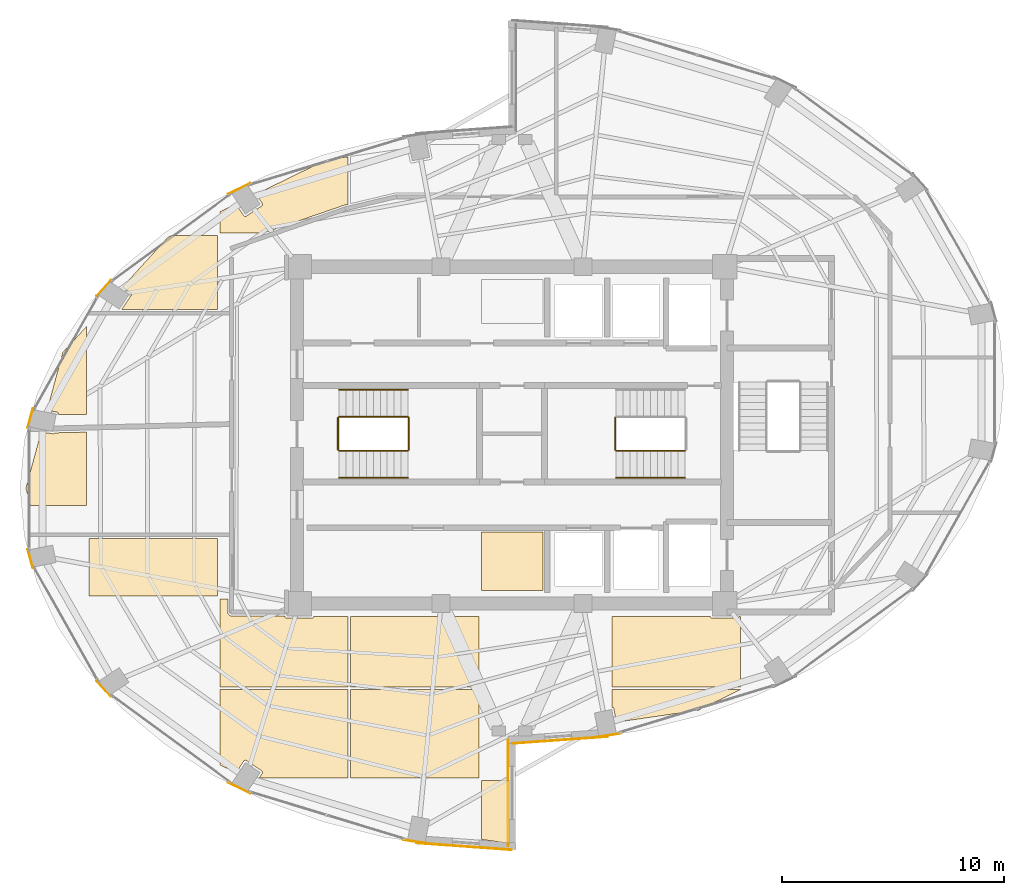
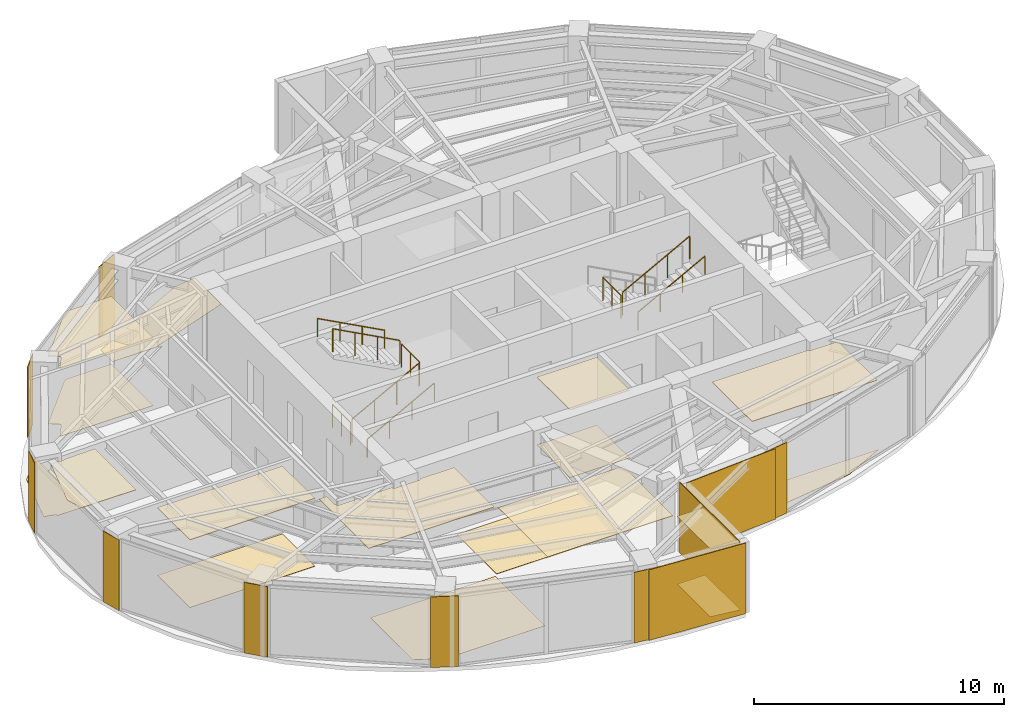
# One storey, part 21 of 22: 28 coverings, 9 railings.
"""IFC4 building model written with IfcOpenShell, lengths in metres."""

from ifc_helpers import new_model, si_unit, direction, frame, origin, origin_2d, place, context, subcontext, project, spatial, polyline, rectangle, circle, outline, extrude, material, layer, layer_set, type_object, element, save


model = new_model("IFC4")

# Units and contexts
model_context = context("Model", 3, precision=1e-05, world=origin(), true_north=direction((0.0, 1.0)))
body_context = subcontext(model_context, "Body", "Model", "MODEL_VIEW")
ifc_project = project(units=[si_unit("LENGTHUNIT", "METRE"), si_unit("AREAUNIT", "SQUARE_METRE"), si_unit("VOLUMEUNIT", "CUBIC_METRE"), si_unit("PLANEANGLEUNIT", "RADIAN"), si_unit("MASSUNIT", "GRAM", prefix="KILO")], contexts=[model_context])

# Site, building, storey
site_placement = place(None, origin())
site = spatial("IfcSite", under=ifc_project, at=site_placement, CompositionType="ELEMENT")
building_placement = place(site_placement, origin())
building = spatial("IfcBuilding", under=site, at=building_placement, Name="Lazwardi Medical Tower", CompositionType="ELEMENT")
storey_placement = place(building_placement, frame((0.0, 0.0, 227.6640625)))
storey = spatial("IfcBuildingStorey", under=building, at=storey_placement, Name="L59", CompositionType="ELEMENT", Elevation=227.6640625)

# Coverings
ifc_material_1 = material(Name="Anodised bronze aluminium cassette cladding", Category="aluminium")
ifc_layer_1 = layer(ifc_material_1, 0.030029296875)
ifc_layer_set_1 = layer_set([ifc_layer_1], Name="Anodised bronze aluminium cassette cladding")
covering_type_1 = type_object("IfcCoveringType", Name="COV-CLD-BRZ", PredefinedType="CLADDING", material=ifc_layer_set_1)
covering_1_placement = place(storey_placement, frame((40.3232421875, 14.450439453125, 0.0), z_axis=(0.0, 0.0, 1.0), x_axis=(0.989512431533, 0.144447733943, 0.0)))
element("IfcCovering", 1, at=covering_1_placement, inside=storey, type_object=covering_type_1, Name="L59 Mega-column bronze cassette cover M01", PredefinedType="CLADDING", context=body_context, shape_type="SweptSolid", body=[
    extrude(rectangle(XDim=1.188720703125, YDim=0.030029296875, at=origin_2d()), origin(), (0.0, 0.0, 1.0), 3.447998046875),
])
covering_2_placement = place(storey_placement, frame((23.688720703125, 39.121337890625, 0.0), z_axis=(0.0, 0.0, 1.0), x_axis=(-0.897840141691, -0.440321564278, 0.0)))
element("IfcCovering", 2, at=covering_2_placement, inside=storey, type_object=covering_type_1, Name="L59 Mega-column bronze cassette cover M10", PredefinedType="CLADDING", context=body_context, shape_type="SweptSolid", body=[
    extrude(rectangle(XDim=1.110595703125, YDim=0.030029296875, at=origin_2d()), origin(), (0.0, 0.0, 1.0), 3.447998046875),
])
covering_3_placement = place(storey_placement, frame((17.57470703125, 34.634765625, 0.0), z_axis=(0.0, 0.0, 1.0), x_axis=(-0.673240970654, -0.739423150458, 0.0)))
element("IfcCovering", 3, at=covering_3_placement, inside=storey, type_object=covering_type_1, Name="L59 Mega-column bronze cassette cover M11", PredefinedType="CLADDING", context=body_context, shape_type="SweptSolid", body=[
    extrude(rectangle(XDim=0.98974609375, YDim=0.030029296875, at=origin_2d()), origin(), (0.0, 0.0, 1.0), 3.447998046875),
])
for number, where, z_axis, x_axis, name in (
    (4, (14.265869140625, 28.772705078125, 0.0), (0.0, 0.0, 1.0), (-0.261641748247, -0.96516506131, 0.0), "L59 Mega-column bronze cassette cover M12"),
    (5, (14.265869140625, 22.427490234375, 0.0), (0.0, 0.0, 1.0), (0.261641748247, -0.96516506131, 0.0), "L59 Mega-column bronze cassette cover M13"),
):
    element("IfcCovering", number, at=place(storey_placement, frame(where, z_axis=z_axis, x_axis=x_axis)), inside=storey, type_object=covering_type_1, Name=name, PredefinedType="CLADDING", context=body_context, shape_type="SweptSolid", body=[
        extrude(rectangle(XDim=0.894287109375, YDim=0.030029296875, at=origin_2d()), origin(), (0.0, 0.0, 1.0), 3.447998046875),
    ])
covering_4_placement = place(storey_placement, frame((17.57470703125, 16.565185546875, 0.0), z_axis=(0.0, 0.0, 1.0), x_axis=(0.673240970654, -0.739423150458, 0.0)))
element("IfcCovering", 6, at=covering_4_placement, inside=storey, type_object=covering_type_1, Name="L59 Mega-column bronze cassette cover M14", PredefinedType="CLADDING", context=body_context, shape_type="SweptSolid", body=[
    extrude(rectangle(XDim=0.98974609375, YDim=0.030029296875, at=origin_2d()), origin(), (0.0, 0.0, 1.0), 3.447998046875),
])
covering_5_placement = place(storey_placement, frame((23.688720703125, 12.07861328125, 0.0), z_axis=(0.0, 0.0, 1.0), x_axis=(0.897840141691, -0.440321564278, 0.0)))
element("IfcCovering", 7, at=covering_5_placement, inside=storey, type_object=covering_type_1, Name="L59 Mega-column bronze cassette cover M15", PredefinedType="CLADDING", context=body_context, shape_type="SweptSolid", body=[
    extrude(rectangle(XDim=1.110595703125, YDim=0.030029296875, at=origin_2d()), origin(), (0.0, 0.0, 1.0), 3.447998046875),
])
covering_6_placement = place(storey_placement, frame((31.6767578125, 9.650390625, 0.0), z_axis=(0.0, 0.0, 1.0), x_axis=(0.989512431533, -0.144447733943, 0.0)))
element("IfcCovering", 8, at=covering_6_placement, inside=storey, type_object=covering_type_1, Name="L59 Mega-column bronze cassette cover M16", PredefinedType="CLADDING", context=body_context, shape_type="SweptSolid", body=[
    extrude(rectangle(XDim=1.188720703125, YDim=0.030029296875, at=origin_2d()), origin(), (0.0, 0.0, 1.0), 3.447998046875),
])
ifc_material_2 = material(Name="Turquoise glazed ceramic tilework cladding", Category="masonry")
ifc_layer_2 = layer(ifc_material_2, 0.034912109375)
ifc_layer_set_2 = layer_set([ifc_layer_2], Name="Turquoise glazed ceramic tilework cladding")
covering_type_2 = type_object("IfcCoveringType", Name="COV-CLD-TRQ", PredefinedType="CLADDING", material=ifc_layer_set_2)
covering_7_placement = place(storey_placement, frame((38.16259765625, 14.239990234375, 0.0), z_axis=(0.0, 0.0, 1.0), x_axis=(0.997409491337, 0.071932653157, 0.0)))
element("IfcCovering", 9, at=covering_7_placement, inside=storey, type_object=covering_type_2, Name="L59 Turquoise glazed ceramic tilework cladding", PredefinedType="CLADDING", context=body_context, shape_type="SweptSolid", body=[
    extrude(rectangle(XDim=4.31103515625, YDim=0.034912109375, at=origin_2d()), origin(), (0.0, 0.0, 1.0), 3.447998046875),
])
covering_8_placement = place(storey_placement, frame((33.83740234375, 9.43994140625, 0.0), z_axis=(0.0, 0.0, 1.0), x_axis=(0.997408989128, -0.071939616387, 0.0)))
element("IfcCovering", 10, at=covering_8_placement, inside=storey, type_object=covering_type_2, Name="L59 Turquoise glazed ceramic tilework cladding", PredefinedType="CLADDING", context=body_context, shape_type="SweptSolid", body=[
    extrude(rectangle(XDim=4.310546875, YDim=0.034912109375, at=origin_2d()), origin(), (0.0, 0.0, 1.0), 3.447998046875),
])
covering_9_placement = place(storey_placement, frame((35.824462890625, 11.860107421875, 0.0), z_axis=(0.0, 0.0, 1.0), x_axis=(0.0, 1.0, 0.0)))
element("IfcCovering", 11, at=covering_9_placement, inside=storey, type_object=covering_type_2, Name="L59 Turquoise glazed ceramic tilework iwan panel", PredefinedType="CLADDING", context=body_context, shape_type="SweptSolid", body=[
    extrude(rectangle(XDim=4.800048828125, YDim=0.034912109375, at=origin_2d()), origin(), (0.0, 0.0, 1.0), 3.447998046875),
])
ifc_material_3 = material(Name="Acoustic mineral fibre tile")
ifc_layer_3 = layer(ifc_material_3, 0.02490234375)
ifc_layer_set_3 = layer_set([ifc_layer_3], Name="Acoustic mineral fibre tile")
covering_type_3 = type_object("IfcCoveringType", Name="COV-CLG-01", PredefinedType="CEILING", material=ifc_layer_set_3)
covering_10_placement = place(storey_placement, frame((0.0, 0.0, 3.302978515625)))
element("IfcCovering", 12, at=covering_10_placement, inside=storey, type_object=covering_type_3, Name="L59 Clinical Acoustic Ceiling 1", PredefinedType="CEILING", context=body_context, shape_type="SweptSolid", body=[
    extrude(outline(polyline([(16.802978515625, 28.13916015625), (15.36328125, 28.103515625), (15.36279296875, 28.10205078125), (15.358642578125, 28.095458984375), (15.35400390625, 28.089111328125), (15.3486328125, 28.083251953125), (15.343017578125, 28.077880859375), (15.336669921875, 28.0732421875), (15.329833984375, 28.0693359375), (15.32275390625, 28.06591796875), (15.315185546875, 28.063232421875), (15.3076171875, 28.061279296875), (15.300048828125, 28.060302734375), (15.2919921875, 28.059814453125), (15.2841796875, 28.060302734375), (15.276611328125, 28.061279296875), (15.0966796875, 28.09716796875), (14.739013671875, 28.08837890625), (14.06298828125, 25.60009765625), (14.271484375, 24.83251953125), (16.802978515625, 24.83251953125), (16.802978515625, 28.13916015625)])), origin(), (0.0, 0.0, 1.0), 0.02490234375),
])
covering_11_placement = place(storey_placement, frame((0.0, 0.0, 3.302978515625)))
element("IfcCovering", 13, at=covering_11_placement, inside=storey, type_object=covering_type_3, Name="L59 Clinical Acoustic Ceiling 2", PredefinedType="CEILING", context=body_context, shape_type="SweptSolid", body=[
    extrude(outline(polyline([(22.702880859375, 23.3349609375), (16.9228515625, 23.3349609375), (16.9228515625, 20.732421875), (22.702880859375, 20.732421875), (22.702880859375, 23.3349609375)])), origin(), (0.0, 0.0, 1.0), 0.02490234375),
])
covering_12_placement = place(storey_placement, frame((0.0, 0.0, 3.302978515625)))
element("IfcCovering", 14, at=covering_12_placement, inside=storey, type_object=covering_type_3, Name="L59 Clinical Acoustic Ceiling 3", PredefinedType="CEILING", context=body_context, shape_type="SweptSolid", body=[
    extrude(outline(polyline([(20.639892578125, 37.012451171875), (20.478271484375, 36.933349609375), (18.415283203125, 34.673095703125), (18.7919921875, 34.42138671875), (18.79833984375, 34.416748046875), (18.80419921875, 34.41162109375), (18.809326171875, 34.40576171875), (18.814208984375, 34.3994140625), (18.818115234375, 34.392578125), (18.821533203125, 34.385498046875), (18.82421875, 34.378173828125), (18.826171875, 34.37060546875), (18.8271484375, 34.36279296875), (18.82763671875, 34.35498046875), (18.8271484375, 34.34716796875), (18.826171875, 34.33935546875), (18.82421875, 34.331787109375), (18.821533203125, 34.324462890625), (18.818115234375, 34.3173828125), (18.814208984375, 34.310546875), (18.3828125, 33.6650390625), (22.702880859375, 33.6650390625), (22.702880859375, 37.012451171875), (20.639892578125, 37.012451171875)])), origin(), (0.0, 0.0, 1.0), 0.02490234375),
])
covering_13_placement = place(storey_placement, frame((0.0, 0.0, 3.302978515625)))
element("IfcCovering", 15, at=covering_13_placement, inside=storey, type_object=covering_type_3, Name="L59 Clinical Acoustic Ceiling 4", PredefinedType="CEILING", context=body_context, shape_type="SweptSolid", body=[
    extrude(outline(polyline([(28.602783203125, 19.820068359375), (27.04931640625, 19.820068359375), (27.048583984375, 19.814453125), (27.046630859375, 19.806884765625), (27.0439453125, 19.79931640625), (27.04052734375, 19.792236328125), (27.03662109375, 19.78564453125), (27.03173828125, 19.779296875), (27.026611328125, 19.7734375), (27.020751953125, 19.768310546875), (27.014404296875, 19.763427734375), (27.0078125, 19.759521484375), (27.00048828125, 19.756103515625), (26.9931640625, 19.75341796875), (26.985595703125, 19.75146484375), (26.977783203125, 19.75048828125), (26.969970703125, 19.75), (25.830078125, 19.75), (25.822265625, 19.75048828125), (25.814453125, 19.75146484375), (25.806884765625, 19.75341796875), (25.79931640625, 19.756103515625), (25.792236328125, 19.759521484375), (25.78564453125, 19.763427734375), (25.779296875, 19.768310546875), (25.7734375, 19.7734375), (25.768310546875, 19.779296875), (25.763427734375, 19.78564453125), (25.759521484375, 19.792236328125), (25.756103515625, 19.79931640625), (25.75341796875, 19.806884765625), (25.75146484375, 19.814453125), (25.75048828125, 19.822265625), (25.75, 19.830078125), (25.75, 19.844970703125), (23.35009765625, 19.844970703125), (23.345703125, 19.84521484375), (23.33642578125, 19.845703125), (23.32958984375, 19.84619140625), (23.3203125, 19.84765625), (23.31201171875, 19.84912109375), (23.302734375, 19.8515625), (23.2958984375, 19.853515625), (23.287109375, 19.856689453125), (23.279296875, 19.860107421875), (23.270751953125, 19.864013671875), (23.263916015625, 19.86767578125), (23.256103515625, 19.872314453125), (23.249267578125, 19.876953125), (23.24169921875, 19.882568359375), (23.236083984375, 19.88720703125), (23.229248046875, 19.893310546875), (23.223388671875, 19.8994140625), (23.217041015625, 19.90625), (23.21240234375, 19.911865234375), (23.206787109375, 19.919189453125), (23.202392578125, 19.926025390625), (23.197509765625, 19.93408203125), (23.194091796875, 19.94091796875), (23.18994140625, 19.94921875), (23.186767578125, 19.95703125), (23.18359375, 19.9658203125), (23.181396484375, 19.972900390625), (23.17919921875, 19.98193359375), (23.177490234375, 19.990234375), (23.17626953125, 19.99951171875), (23.175537109375, 20.00634765625), (23.175048828125, 20.015625), (23.175048828125, 20.02001953125), (23.175048828125, 20.612548828125), (22.822998046875, 20.612548828125), (22.822998046875, 16.632568359375), (28.602783203125, 16.632568359375), (28.602783203125, 19.820068359375)])), origin(), (0.0, 0.0, 1.0), 0.02490234375),
])
covering_14_placement = place(storey_placement, frame((0.0, 0.0, 3.302978515625)))
element("IfcCovering", 16, at=covering_14_placement, inside=storey, type_object=covering_type_3, Name="L59 Clinical Acoustic Ceiling 5", PredefinedType="CEILING", context=body_context, shape_type="SweptSolid", body=[
    extrude(outline(polyline([(34.5029296875, 12.532470703125), (34.5029296875, 16.512451171875), (28.722900390625, 16.512451171875), (28.722900390625, 12.532470703125), (34.5029296875, 12.532470703125)])), origin(), (0.0, 0.0, 1.0), 0.02490234375),
])
covering_15_placement = place(storey_placement, frame((0.0, 0.0, 3.302978515625)))
element("IfcCovering", 17, at=covering_15_placement, inside=storey, type_object=covering_type_3, Name="L59 Clinical Acoustic Ceiling 7", PredefinedType="CEILING", context=body_context, shape_type="SweptSolid", body=[
    extrude(outline(polyline([(34.622802734375, 9.761474609375), (35.919921875, 9.572509765625), (35.919921875, 12.41259765625), (34.622802734375, 12.41259765625), (34.622802734375, 9.761474609375)])), origin(), (0.0, 0.0, 1.0), 0.02490234375),
])
covering_16_placement = place(storey_placement, frame((0.0, 0.0, 3.302978515625)))
element("IfcCovering", 18, at=covering_16_placement, inside=storey, type_object=covering_type_3, Name="L59 Clinical Acoustic Ceiling 8", PredefinedType="CEILING", context=body_context, shape_type="SweptSolid", body=[
    extrude(outline(polyline([(34.622802734375, 20.97998046875), (37.389892578125, 20.97998046875), (37.389892578125, 23.6201171875), (34.622802734375, 23.6201171875), (34.622802734375, 20.97998046875)])), origin(), (0.0, 0.0, 1.0), 0.02490234375),
])
covering_17_placement = place(storey_placement, frame((0.0, 0.0, 3.302978515625)))
element("IfcCovering", 19, at=covering_17_placement, inside=storey, type_object=covering_type_3, Name="L59 Clinical Acoustic Ceiling 10", PredefinedType="CEILING", context=body_context, shape_type="SweptSolid", body=[
    extrude(outline(polyline([(46.302978515625, 19.820068359375), (46.249267578125, 19.820068359375), (46.24853515625, 19.814453125), (46.24658203125, 19.806884765625), (46.243896484375, 19.79931640625), (46.240478515625, 19.792236328125), (46.236572265625, 19.78564453125), (46.231689453125, 19.779296875), (46.2265625, 19.7734375), (46.220703125, 19.768310546875), (46.21435546875, 19.763427734375), (46.207763671875, 19.759521484375), (46.20068359375, 19.756103515625), (46.193115234375, 19.75341796875), (46.185546875, 19.75146484375), (46.177734375, 19.75048828125), (46.169921875, 19.75), (45.030029296875, 19.75), (45.022216796875, 19.75048828125), (45.014404296875, 19.75146484375), (45.0068359375, 19.75341796875), (44.99951171875, 19.756103515625), (44.9921875, 19.759521484375), (44.985595703125, 19.763427734375), (44.979248046875, 19.768310546875), (44.973388671875, 19.7734375), (44.96826171875, 19.779296875), (44.96337890625, 19.78564453125), (44.95947265625, 19.792236328125), (44.9560546875, 19.79931640625), (44.953369140625, 19.806884765625), (44.951416015625, 19.814453125), (44.95068359375, 19.820068359375), (40.52294921875, 19.820068359375), (40.52294921875, 16.632568359375), (46.302978515625, 16.632568359375), (46.302978515625, 19.820068359375)])), origin(), (0.0, 0.0, 1.0), 0.02490234375),
])
ifc_material_4 = material(Name="Anti-static hospital vinyl sheet flooring")
ifc_layer_4 = layer(ifc_material_4, 0.014892578125)
ifc_layer_set_4 = layer_set([ifc_layer_4], Name="Anti-static hospital vinyl sheet flooring")
covering_type_4 = type_object("IfcCoveringType", Name="COV-FLR-01", PredefinedType="FLOORING", material=ifc_layer_set_4)
covering_18_placement = place(storey_placement, origin())
element("IfcCovering", 20, at=covering_18_placement, inside=storey, type_object=covering_type_4, Name="L59 Clinical Vinyl Flooring 1", PredefinedType="FLOORING", context=body_context, shape_type="SweptSolid", body=[
    extrude(outline(polyline([(16.802978515625, 32.906494140625), (15.728271484375, 31.729248046875), (15.0224609375, 29.13134765625), (15.4716796875, 29.0419921875), (15.479248046875, 29.040283203125), (15.486572265625, 29.03759765625), (15.49365234375, 29.0341796875), (15.50048828125, 29.030029296875), (15.5068359375, 29.025390625), (15.5126953125, 29.020263671875), (15.517822265625, 29.014404296875), (15.5224609375, 29.008056640625), (15.526611328125, 29.001220703125), (15.52978515625, 28.994140625), (15.53271484375, 28.98681640625), (15.534423828125, 28.979248046875), (15.53564453125, 28.971435546875), (15.535888671875, 28.963623046875), (15.53564453125, 28.955810546875), (15.534423828125, 28.947998046875), (15.531494140625, 28.9326171875), (16.802978515625, 28.9326171875), (16.802978515625, 32.906494140625)])), origin(), (0.0, 0.0, 1.0), 0.014892578125),
])
covering_19_placement = place(storey_placement, origin())
element("IfcCovering", 21, at=covering_19_placement, inside=storey, type_object=covering_type_4, Name="L59 Clinical Vinyl Flooring 2", PredefinedType="FLOORING", context=body_context, shape_type="SweptSolid", body=[
    extrude(outline(polyline([(22.702880859375, 23.3349609375), (16.9228515625, 23.3349609375), (16.9228515625, 20.732421875), (22.702880859375, 20.732421875), (22.702880859375, 23.3349609375)])), origin(), (0.0, 0.0, 1.0), 0.014892578125),
])
covering_20_placement = place(storey_placement, origin())
element("IfcCovering", 22, at=covering_20_placement, inside=storey, type_object=covering_type_4, Name="L59 Clinical Vinyl Flooring 3", PredefinedType="FLOORING", context=body_context, shape_type="SweptSolid", body=[
    extrude(outline(polyline([(20.639892578125, 37.012451171875), (20.478271484375, 36.933349609375), (18.415283203125, 34.673095703125), (18.7919921875, 34.42138671875), (18.79833984375, 34.416748046875), (18.80419921875, 34.41162109375), (18.809326171875, 34.40576171875), (18.814208984375, 34.3994140625), (18.818115234375, 34.392578125), (18.821533203125, 34.385498046875), (18.82421875, 34.378173828125), (18.826171875, 34.37060546875), (18.8271484375, 34.36279296875), (18.82763671875, 34.35498046875), (18.8271484375, 34.34716796875), (18.826171875, 34.33935546875), (18.82421875, 34.331787109375), (18.821533203125, 34.324462890625), (18.818115234375, 34.3173828125), (18.814208984375, 34.310546875), (18.3828125, 33.6650390625), (22.702880859375, 33.6650390625), (22.702880859375, 37.012451171875), (20.639892578125, 37.012451171875)])), origin(), (0.0, 0.0, 1.0), 0.014892578125),
])
covering_21_placement = place(storey_placement, origin())
element("IfcCovering", 23, at=covering_21_placement, inside=storey, type_object=covering_type_4, Name="L59 Clinical Vinyl Flooring 4", PredefinedType="FLOORING", context=body_context, shape_type="SweptSolid", body=[
    extrude(outline(polyline([(22.822998046875, 13.119873046875), (23.545654296875, 12.766357421875), (23.900634765625, 13.297607421875), (23.905517578125, 13.303955078125), (23.91064453125, 13.309814453125), (23.91650390625, 13.31494140625), (23.9228515625, 13.319580078125), (23.929443359375, 13.32373046875), (23.9365234375, 13.3271484375), (23.944091796875, 13.329833984375), (23.95166015625, 13.331787109375), (23.95947265625, 13.332763671875), (23.96728515625, 13.333251953125), (23.97509765625, 13.332763671875), (23.98291015625, 13.331787109375), (23.990478515625, 13.329833984375), (23.997802734375, 13.3271484375), (24.0048828125, 13.32373046875), (24.01171875, 13.319580078125), (24.7099609375, 12.85302734375), (24.71630859375, 12.848388671875), (24.72216796875, 12.843017578125), (24.727294921875, 12.83740234375), (24.732177734375, 12.830810546875), (24.736083984375, 12.82421875), (24.739501953125, 12.817138671875), (24.7421875, 12.809814453125), (24.744140625, 12.802001953125), (24.7451171875, 12.794189453125), (24.74560546875, 12.78662109375), (24.7451171875, 12.77880859375), (24.744140625, 12.77099609375), (24.7421875, 12.76318359375), (24.739501953125, 12.755859375), (24.736083984375, 12.748779296875), (24.732177734375, 12.7421875), (24.592041015625, 12.532470703125), (28.602783203125, 12.532470703125), (28.602783203125, 16.512451171875), (22.822998046875, 16.512451171875), (22.822998046875, 13.119873046875)])), origin(), (0.0, 0.0, 1.0), 0.014892578125),
])
covering_22_placement = place(storey_placement, origin())
element("IfcCovering", 24, at=covering_22_placement, inside=storey, type_object=covering_type_4, Name="L59 Clinical Vinyl Flooring 5", PredefinedType="FLOORING", context=body_context, shape_type="SweptSolid", body=[
    extrude(outline(polyline([(28.602783203125, 40.56201171875), (27.59716796875, 40.41552734375), (24.4521484375, 38.877197265625), (24.732177734375, 38.4580078125), (24.736083984375, 38.451171875), (24.739501953125, 38.444091796875), (24.7421875, 38.436767578125), (24.744140625, 38.42919921875), (24.7451171875, 38.42138671875), (24.74560546875, 38.41357421875), (24.7451171875, 38.40576171875), (24.744140625, 38.39794921875), (24.7421875, 38.390380859375), (24.739501953125, 38.3828125), (24.736083984375, 38.375732421875), (24.732177734375, 38.369140625), (24.727294921875, 38.36279296875), (24.72216796875, 38.35693359375), (24.71630859375, 38.351806640625), (24.7099609375, 38.346923828125), (24.01171875, 37.88037109375), (24.0048828125, 37.876220703125), (23.997802734375, 37.872802734375), (23.990478515625, 37.8701171875), (23.98291015625, 37.868408203125), (23.97509765625, 37.8671875), (23.96728515625, 37.86669921875), (23.95947265625, 37.8671875), (23.95166015625, 37.868408203125), (23.944091796875, 37.8701171875), (23.9365234375, 37.872802734375), (23.929443359375, 37.876220703125), (23.9228515625, 37.88037109375), (23.91650390625, 37.885009765625), (23.91064453125, 37.89013671875), (23.905517578125, 37.89599609375), (23.900634765625, 37.90234375), (23.545654296875, 38.43359375), (22.822998046875, 38.080078125), (22.822998046875, 37.132568359375), (24.819091796875, 37.132568359375), (28.457763671875, 38.385498046875), (28.461669921875, 38.386962890625), (28.470703125, 38.389404296875), (28.474365234375, 38.390380859375), (28.602783203125, 38.4208984375), (28.602783203125, 40.56201171875)])), origin(), (0.0, 0.0, 1.0), 0.014892578125),
])
covering_23_placement = place(storey_placement, origin())
element("IfcCovering", 25, at=covering_23_placement, inside=storey, type_object=covering_type_4, Name="L59 Clinical Vinyl Flooring 6", PredefinedType="FLOORING", context=body_context, shape_type="SweptSolid", body=[
    extrude(outline(polyline([(34.5029296875, 19.820068359375), (28.722900390625, 19.820068359375), (28.722900390625, 16.632568359375), (34.5029296875, 16.632568359375), (34.5029296875, 19.820068359375)])), origin(), (0.0, 0.0, 1.0), 0.014892578125),
])
covering_24_placement = place(storey_placement, origin())
element("IfcCovering", 26, at=covering_24_placement, inside=storey, type_object=covering_type_4, Name="L59 Clinical Vinyl Flooring 7", PredefinedType="FLOORING", context=body_context, shape_type="SweptSolid", body=[
    extrude(outline(polyline([(34.622802734375, 9.761474609375), (35.919921875, 9.572509765625), (35.919921875, 12.41259765625), (34.622802734375, 12.41259765625), (34.622802734375, 9.761474609375)])), origin(), (0.0, 0.0, 1.0), 0.014892578125),
])
covering_25_placement = place(storey_placement, origin())
element("IfcCovering", 27, at=covering_25_placement, inside=storey, type_object=covering_type_4, Name="L59 Clinical Vinyl Flooring 8", PredefinedType="FLOORING", context=body_context, shape_type="SweptSolid", body=[
    extrude(outline(polyline([(34.622802734375, 20.97998046875), (37.389892578125, 20.97998046875), (37.389892578125, 23.6201171875), (34.622802734375, 23.6201171875), (34.622802734375, 20.97998046875)])), origin(), (0.0, 0.0, 1.0), 0.014892578125),
])
covering_26_placement = place(storey_placement, origin())
element("IfcCovering", 28, at=covering_26_placement, inside=storey, type_object=covering_type_4, Name="L59 Clinical Vinyl Flooring 10", PredefinedType="FLOORING", context=body_context, shape_type="SweptSolid", body=[
    extrude(outline(polyline([(40.52294921875, 15.722412109375), (40.5302734375, 15.72119140625), (40.537841796875, 15.71923828125), (40.54541015625, 15.716552734375), (40.552490234375, 15.71337890625), (40.55908203125, 15.709228515625), (40.5654296875, 15.70458984375), (40.5712890625, 15.69921875), (40.576416015625, 15.693603515625), (40.581298828125, 15.687255859375), (40.585205078125, 15.680419921875), (40.588623046875, 15.67333984375), (40.59130859375, 15.666015625), (40.59326171875, 15.658203125), (40.714599609375, 15.04736328125), (44.40283203125, 15.58447265625), (46.300048828125, 16.512451171875), (40.52294921875, 16.512451171875), (40.52294921875, 15.722412109375)])), origin(), (0.0, 0.0, 1.0), 0.014892578125),
])

# Railings
ifc_material_5 = material(Name="Stainless steel Grade 316", Category="steel")
railing_type_1 = type_object("IfcRailingType", Name="RLG-GRD-1150", PredefinedType="GUARDRAIL", material=ifc_material_5)
railing_1_placement = place(storey_placement, frame((28.199951171875, 27.2900390625, 0.165771484375)))
element("IfcRailing", 29, at=railing_1_placement, inside=storey, type_object=railing_type_1, Name="L59 ST1 stair guard 1", PredefinedType="GUARDRAIL", context=body_context, shape_type="SweptSolid", body=[
    extrude(circle(Radius=0.02392578125, at=origin_2d()), frame((0.0, 0.0, 1.1259765625), z_axis=(0.881783298633, 0.0, 0.471654761719), x_axis=(0.0, 1.0, 0.0)), (0.0, 0.0, 1.0), 3.515625),
    extrude(circle(Radius=0.02099609375, at=origin_2d()), origin(), (0.0, 0.0, 1.0), 1.099853515625),
    extrude(circle(Radius=0.02099609375, at=origin_2d()), frame((1.033447265625, 0.0, 0.552734375)), (0.0, 0.0, 1.0), 1.099853515625),
    extrude(circle(Radius=0.02099609375, at=origin_2d()), frame((2.066650390625, 0.0, 1.10546875)), (0.0, 0.0, 1.0), 1.099853515625),
    extrude(circle(Radius=0.02099609375, at=origin_2d()), frame((3.10009765625, 0.0, 1.658203125)), (0.0, 0.0, 1.0), 1.099853515625),
])
railing_2_placement = place(storey_placement, frame((31.35009765625, 27.340087890625, 1.823974609375)))
element("IfcRailing", 30, at=railing_2_placement, inside=storey, type_object=railing_type_1, Name="L59 ST1 stair guard 2", PredefinedType="GUARDRAIL", context=body_context, shape_type="SweptSolid", body=[
    extrude(circle(Radius=0.02392578125, at=origin_2d()), frame((0.0, 0.0, 1.1259765625), z_axis=(0.0, 1.0, 0.0), x_axis=(-1.0, 0.0, 0.0)), (0.0, 0.0, 1.0), 1.43994140625),
    extrude(circle(Radius=0.02099609375, at=origin_2d()), origin(), (0.0, 0.0, 1.0), 1.099853515625),
    extrude(circle(Radius=0.02099609375, at=origin_2d()), frame((0.0, 0.719970703125, 0.0)), (0.0, 0.0, 1.0), 1.099853515625),
    extrude(circle(Radius=0.02099609375, at=origin_2d()), frame((0.0, 1.43994140625, 0.0)), (0.0, 0.0, 1.0), 1.099853515625),
])
railing_3_placement = place(storey_placement, frame((31.300048828125, 28.830078125, 1.98974609375)))
element("IfcRailing", 31, at=railing_3_placement, inside=storey, type_object=railing_type_1, Name="L59 ST1 stair guard 3", PredefinedType="GUARDRAIL", context=body_context, shape_type="SweptSolid", body=[
    extrude(circle(Radius=0.02392578125, at=origin_2d()), frame((0.0, 0.0, 1.1259765625), z_axis=(-0.881783298633, 0.0, 0.471654761719), x_axis=(0.0, -1.0, 0.0)), (0.0, 0.0, 1.0), 3.515625),
    extrude(circle(Radius=0.02099609375, at=origin_2d()), origin(), (0.0, 0.0, 1.0), 1.099853515625),
    extrude(circle(Radius=0.02099609375, at=origin_2d()), frame((-1.033447265625, 0.0, 0.552734375)), (0.0, 0.0, 1.0), 1.099853515625),
    extrude(circle(Radius=0.02099609375, at=origin_2d()), frame((-2.066650390625, 0.0, 1.10546875)), (0.0, 0.0, 1.0), 1.099853515625),
    extrude(circle(Radius=0.02099609375, at=origin_2d()), frame((-3.10009765625, 0.0, 1.658203125)), (0.0, 0.0, 1.0), 1.099853515625),
])
railing_4_placement = place(storey_placement, frame((28.14990234375, 27.340087890625, 0.0)))
element("IfcRailing", 32, at=railing_4_placement, inside=storey, type_object=railing_type_1, Name="L59 ST1 stair guard 4", PredefinedType="GUARDRAIL", context=body_context, shape_type="SweptSolid", body=[
    extrude(circle(Radius=0.02392578125, at=origin_2d()), frame((0.0, 0.0, 1.1259765625), z_axis=(0.0, 1.0, 0.0), x_axis=(-1.0, 0.0, 0.0)), (0.0, 0.0, 1.0), 1.43994140625),
    extrude(circle(Radius=0.02099609375, at=origin_2d()), origin(), (0.0, 0.0, 1.0), 1.099853515625),
    extrude(circle(Radius=0.02099609375, at=origin_2d()), frame((0.0, 0.719970703125, 0.0)), (0.0, 0.0, 1.0), 1.099853515625),
    extrude(circle(Radius=0.02099609375, at=origin_2d()), frame((0.0, 1.43994140625, 0.0)), (0.0, 0.0, 1.0), 1.099853515625),
])
railing_5_placement = place(storey_placement, frame((40.64990234375, 28.780029296875, 1.823974609375)))
element("IfcRailing", 33, at=railing_5_placement, inside=storey, type_object=railing_type_1, Name="L59 ST2 stair guard 2", PredefinedType="GUARDRAIL", context=body_context, shape_type="SweptSolid", body=[
    extrude(circle(Radius=0.02392578125, at=origin_2d()), frame((0.0, 0.0, 1.1259765625), z_axis=(0.0, -1.0, 0.0), x_axis=(1.0, 0.0, 0.0)), (0.0, 0.0, 1.0), 1.43994140625),
    extrude(circle(Radius=0.02099609375, at=origin_2d()), origin(), (0.0, 0.0, 1.0), 1.099853515625),
    extrude(circle(Radius=0.02099609375, at=origin_2d()), frame((0.0, -0.719970703125, 0.0)), (0.0, 0.0, 1.0), 1.099853515625),
    extrude(circle(Radius=0.02099609375, at=origin_2d()), frame((0.0, -1.43994140625, 0.0)), (0.0, 0.0, 1.0), 1.099853515625),
])
railing_6_placement = place(storey_placement, frame((40.699951171875, 27.2900390625, 1.98974609375)))
element("IfcRailing", 34, at=railing_6_placement, inside=storey, type_object=railing_type_1, Name="L59 ST2 stair guard 3", PredefinedType="GUARDRAIL", context=body_context, shape_type="SweptSolid", body=[
    extrude(circle(Radius=0.02392578125, at=origin_2d()), frame((0.0, 0.0, 1.1259765625), z_axis=(0.881783298633, 0.0, 0.471654761719), x_axis=(0.0, 1.0, 0.0)), (0.0, 0.0, 1.0), 3.515625),
    extrude(circle(Radius=0.02099609375, at=origin_2d()), origin(), (0.0, 0.0, 1.0), 1.099853515625),
    extrude(circle(Radius=0.02099609375, at=origin_2d()), frame((1.033447265625, 0.0, 0.552734375)), (0.0, 0.0, 1.0), 1.099853515625),
    extrude(circle(Radius=0.02099609375, at=origin_2d()), frame((2.066650390625, 0.0, 1.10546875)), (0.0, 0.0, 1.0), 1.099853515625),
    extrude(circle(Radius=0.02099609375, at=origin_2d()), frame((3.10009765625, 0.0, 1.658203125)), (0.0, 0.0, 1.0), 1.099853515625),
])
railing_type_2 = type_object("IfcRailingType", Name="RLG-HND-920", PredefinedType="HANDRAIL", material=ifc_material_5)
railing_7_placement = place(storey_placement, frame((28.199951171875, 26.070068359375, 0.165771484375)))
element("IfcRailing", 35, at=railing_7_placement, inside=storey, type_object=railing_type_2, Name="L59 ST1 stair handrail 1", PredefinedType="HANDRAIL", context=body_context, shape_type="SweptSolid", body=[
    extrude(circle(Radius=0.02392578125, at=origin_2d()), frame((0.0, 0.0, 0.8857421875), z_axis=(0.881783298633, 0.0, 0.471654761719), x_axis=(0.0, 1.0, 0.0)), (0.0, 0.0, 1.0), 3.515625),
    extrude(circle(Radius=0.02099609375, at=origin_2d()), origin(), (0.0, 0.0, 1.0), 0.85986328125),
    extrude(circle(Radius=0.02099609375, at=origin_2d()), frame((1.033447265625, 0.0, 0.552734375)), (0.0, 0.0, 1.0), 0.85986328125),
    extrude(circle(Radius=0.02099609375, at=origin_2d()), frame((2.066650390625, 0.0, 1.10546875)), (0.0, 0.0, 1.0), 0.85986328125),
    extrude(circle(Radius=0.02099609375, at=origin_2d()), frame((3.10009765625, 0.0, 1.658203125)), (0.0, 0.0, 1.0), 0.85986328125),
])
railing_8_placement = place(storey_placement, frame((31.300048828125, 30.050048828125, 1.98974609375)))
element("IfcRailing", 36, at=railing_8_placement, inside=storey, type_object=railing_type_2, Name="L59 ST1 stair handrail 2", PredefinedType="HANDRAIL", context=body_context, shape_type="SweptSolid", body=[
    extrude(circle(Radius=0.02392578125, at=origin_2d()), frame((0.0, 0.0, 0.8857421875), z_axis=(-0.881783298633, 0.0, 0.471654761719), x_axis=(0.0, -1.0, 0.0)), (0.0, 0.0, 1.0), 3.515625),
    extrude(circle(Radius=0.02099609375, at=origin_2d()), origin(), (0.0, 0.0, 1.0), 0.85986328125),
    extrude(circle(Radius=0.02099609375, at=origin_2d()), frame((-1.033447265625, 0.0, 0.552734375)), (0.0, 0.0, 1.0), 0.85986328125),
    extrude(circle(Radius=0.02099609375, at=origin_2d()), frame((-2.066650390625, 0.0, 1.10546875)), (0.0, 0.0, 1.0), 0.85986328125),
    extrude(circle(Radius=0.02099609375, at=origin_2d()), frame((-3.10009765625, 0.0, 1.658203125)), (0.0, 0.0, 1.0), 0.85986328125),
])
railing_9_placement = place(storey_placement, frame((40.699951171875, 26.070068359375, 1.98974609375)))
element("IfcRailing", 37, at=railing_9_placement, inside=storey, type_object=railing_type_2, Name="L59 ST2 stair handrail 2", PredefinedType="HANDRAIL", context=body_context, shape_type="SweptSolid", body=[
    extrude(circle(Radius=0.02392578125, at=origin_2d()), frame((0.0, 0.0, 0.8857421875), z_axis=(0.881783298633, 0.0, 0.471654761719), x_axis=(0.0, 1.0, 0.0)), (0.0, 0.0, 1.0), 3.515625),
    extrude(circle(Radius=0.02099609375, at=origin_2d()), origin(), (0.0, 0.0, 1.0), 0.85986328125),
    extrude(circle(Radius=0.02099609375, at=origin_2d()), frame((1.033447265625, 0.0, 0.552734375)), (0.0, 0.0, 1.0), 0.85986328125),
    extrude(circle(Radius=0.02099609375, at=origin_2d()), frame((2.066650390625, 0.0, 1.10546875)), (0.0, 0.0, 1.0), 0.85986328125),
    extrude(circle(Radius=0.02099609375, at=origin_2d()), frame((3.10009765625, 0.0, 1.658203125)), (0.0, 0.0, 1.0), 0.85986328125),
])

save(model, "model.ifc")
